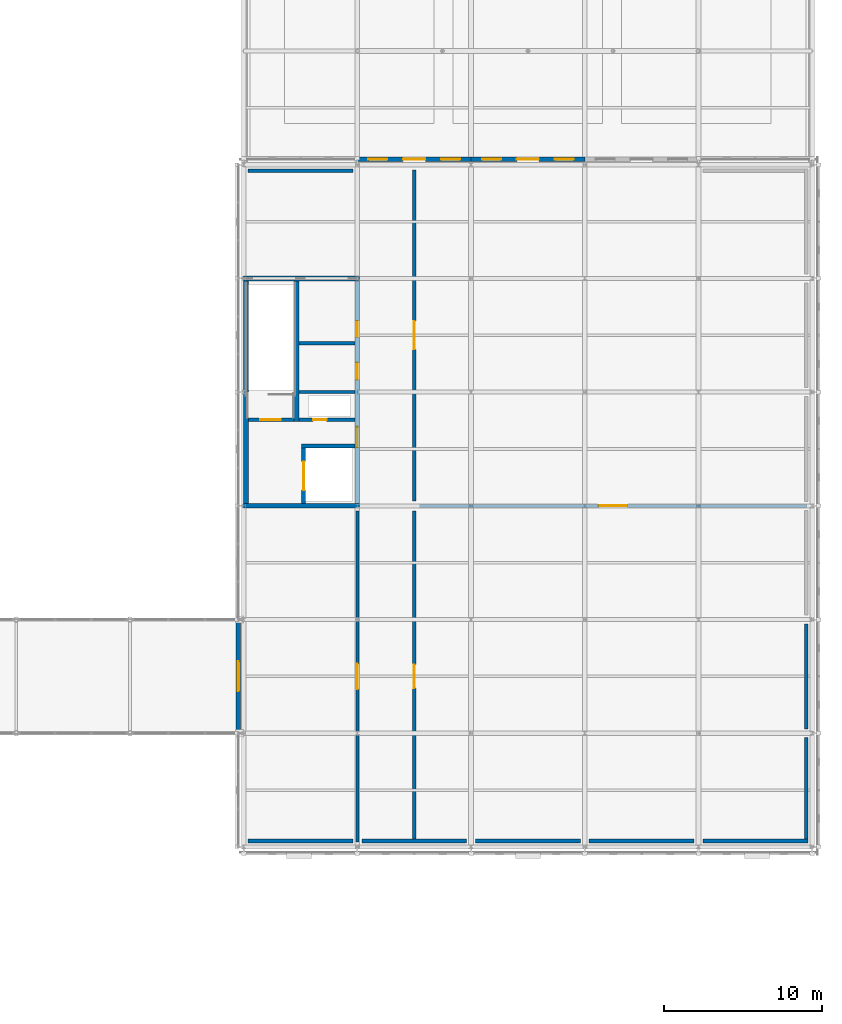
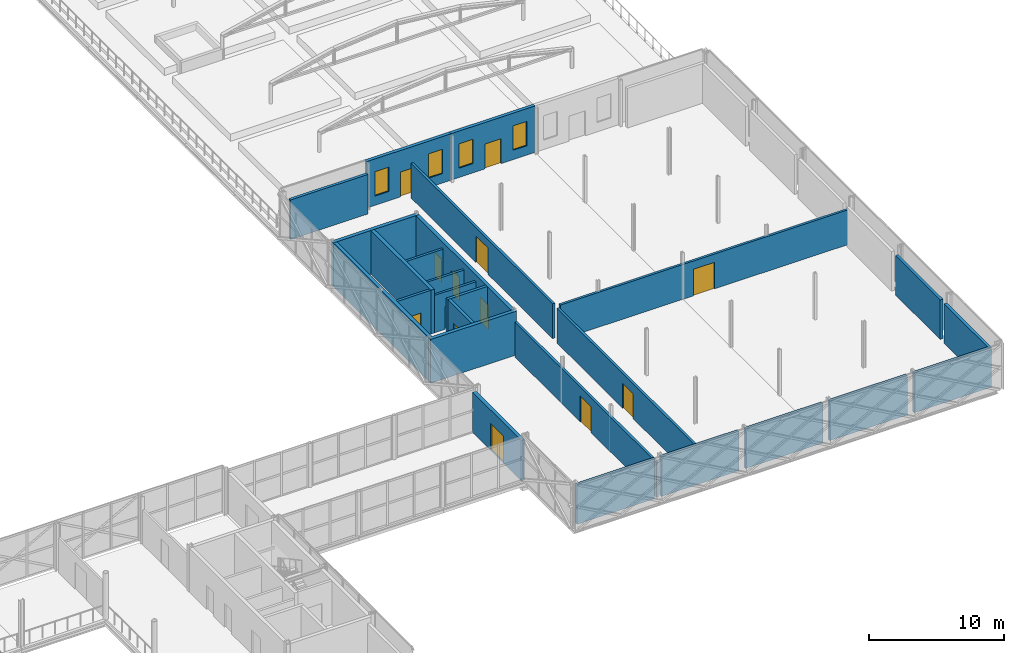
# One storey, part 108 of 126: 26 walls, 13 doors, 4 windows, 17 openings.
"""IFC4 building model written with IfcOpenShell, lengths in metres."""

from ifc_helpers import new_model, si_unit, direction, frame, frame_2d, origin, place, context, subcontext, project, spatial, rectangle, extrude, material, layer, layer_set, type_object, element, fill, save


model = new_model("IFC4")

# Units and contexts
model_context = context("Model", 3, precision=1e-05, world=origin(), true_north=direction((0.0, 1.0)))
body_context = subcontext(model_context, "Body", "Model", "MODEL_VIEW")
ifc_project = project(units=[si_unit("LENGTHUNIT", "METRE"), si_unit("AREAUNIT", "SQUARE_METRE"), si_unit("VOLUMEUNIT", "CUBIC_METRE"), si_unit("PLANEANGLEUNIT", "RADIAN"), si_unit("MASSUNIT", "GRAM", prefix="KILO")], contexts=[model_context])

# Site, building, storey
site_placement = place(None, origin())
site = spatial("IfcSite", under=ifc_project, at=site_placement, CompositionType="ELEMENT")
building_placement = place(site_placement, origin())
building = spatial("IfcBuilding", under=site, at=building_placement, Name="Zlatovets Crest Museum", CompositionType="ELEMENT")
storey_placement = place(building_placement, frame((0.0, 0.0, 8.699951171875)))
storey = spatial("IfcBuildingStorey", under=building, at=storey_placement, Name="L02", CompositionType="ELEMENT", Elevation=8.699951171875)

# Walls
ifc_material_1 = material(Name="Concrete C35/45", Category="concrete")
ifc_layer_1 = layer(ifc_material_1, 0.300048828125)
ifc_layer_set_1 = layer_set([ifc_layer_1], Name="Concrete C35/45")
wall_type_1 = type_object("IfcWallType", Name="CoreWall_SW01", PredefinedType="SHEAR", material=ifc_layer_set_1)
for number, where, z_axis, x_axis, name in (
    (1, (129.60009765625, 36.0, 0.0), (0.0, 0.0, 1.0), (1.0, 0.0, 0.0), "Core C5 L02 South Shear Wall"),
    (2, (129.60009765625, 50.39990234375, 0.0), (0.0, 0.0, 1.0), (1.0, 0.0, 0.0), "Core C5 L02 North Shear Wall"),
):
    element("IfcWall", number, at=place(storey_placement, frame(where, z_axis=z_axis, x_axis=x_axis)), inside=storey, type_object=wall_type_1, Name=name, PredefinedType="SHEAR", context=body_context, shape_type="SweptSolid", body=[
        extrude(rectangle(XDim=7.349853515625, YDim=0.300048828125, at=frame_2d((3.6748046875, 0.0))), origin(), (0.0, 0.0, 1.0), 3.9599609375),
    ])
wall_1_placement = place(storey_placement, frame((129.75, 36.14990234375, 0.0), z_axis=(0.0, 0.0, 1.0), x_axis=(0.0, 1.0, 0.0)))
element("IfcWall", 3, at=wall_1_placement, inside=storey, type_object=wall_type_1, Name="Core C5 L02 Perimeter Shear Wall", PredefinedType="SHEAR", context=body_context, shape_type="SweptSolid", body=[
    extrude(rectangle(XDim=14.10009765625, YDim=0.300048828125, at=frame_2d((7.050048828125, 0.0))), origin(), (0.0, 0.0, 1.0), 3.9599609375),
])

# Wall, openings, doors
wall_2_placement = place(storey_placement, frame((136.800048828125, 36.14990234375, 0.0), z_axis=(0.0, 0.0, 1.0), x_axis=(0.0, 1.0, 0.0)))
wall_2 = element("IfcWall", 4, at=wall_2_placement, inside=storey, type_object=wall_type_1, Name="Core C5 L02 Spine Shear Wall", PredefinedType="SHEAR", context=body_context, shape_type="SweptSolid", body=[
    extrude(rectangle(XDim=14.10009765625, YDim=0.300048828125, at=frame_2d((7.050048828125, 0.0))), origin(), (0.0, 0.0, 1.0), 3.9599609375),
])
opening_1_placement = place(wall_2_placement, frame((3.550048828125, 0.0, 0.0)))
opening_1 = element("IfcOpeningElement", 5, at=opening_1_placement, cuts=wall_2, Name="Opening FD-01", PredefinedType="OPENING", context=body_context, shape_type="SweptSolid", body=[
    extrude(rectangle(XDim=1.300048828125, YDim=2.199951171875, at=frame_2d((0.64990234375, 1.10009765625))), frame((0.0, 0.16015625, 0.0), z_axis=(0.0, -1.0, 0.0), x_axis=(1.0, 0.0, 0.0)), (0.0, 0.0, 1.0), 0.320068359375),
])
opening_2_placement = place(wall_2_placement, frame((7.85009765625, 0.0, 0.0)))
opening_2 = element("IfcOpeningElement", 6, at=opening_2_placement, cuts=wall_2, Name="Opening ID-02", PredefinedType="OPENING", context=body_context, shape_type="SweptSolid", body=[
    extrude(rectangle(XDim=1.050048828125, YDim=2.14990234375, at=frame_2d((0.52490234375, 1.074951171875))), frame((0.0, 0.16015625, 0.0), z_axis=(0.0, -1.0, 0.0), x_axis=(1.0, 0.0, 0.0)), (0.0, 0.0, 1.0), 0.320068359375),
])
opening_3_placement = place(wall_2_placement, frame((10.550048828125, 0.0, 0.0)))
opening_3 = element("IfcOpeningElement", 7, at=opening_3_placement, cuts=wall_2, Name="Opening ID-01", PredefinedType="OPENING", context=body_context, shape_type="SweptSolid", body=[
    extrude(rectangle(XDim=1.0, YDim=2.14990234375, at=frame_2d((0.5, 1.074951171875))), frame((0.0, 0.16015625, 0.0), z_axis=(0.0, -1.0, 0.0), x_axis=(1.0, 0.0, 0.0)), (0.0, 0.0, 1.0), 0.320068359375),
])
ifc_material_2 = material(Name="Smoke-sealed steel fire door", Category="steel")
door_type_1 = type_object("IfcDoorType", Name="IntDoor_FD-01", OperationType="NOTDEFINED", PredefinedType="DOOR", material=ifc_material_2)
door_1_placement = place(opening_1_placement, origin())
door_1 = element("IfcDoor", 8, at=door_1_placement, inside=storey, type_object=door_type_1, Name="CDOOR-C5-L02-LOB Core C5 L02 Lobby Fire Door", OperationType="SINGLE_SWING_RIGHT", OverallHeight=2.199951171875, OverallWidth=1.300048828125, PredefinedType="DOOR", context=body_context, shape_type="SweptSolid", body=[
    extrude(rectangle(XDim=1.300048828125, YDim=2.199951171875, at=frame_2d((0.64990234375, 1.10009765625))), frame((0.0, 0.02490234375, 0.0), z_axis=(0.0, -1.0, 0.0), x_axis=(1.0, 0.0, 0.0)), (0.0, 0.0, 1.0), 0.050048828125),
])
fill(opening_1, door_1)
ifc_material_3 = material(Name="Solid oak museum room door")
door_type_2 = type_object("IfcDoorType", Name="IntDoor_ID-01", OperationType="NOTDEFINED", PredefinedType="DOOR", material=ifc_material_3)
door_2_placement = place(opening_3_placement, origin())
door_2 = element("IfcDoor", 9, at=door_2_placement, inside=storey, type_object=door_type_2, Name="CDOOR-C5-L02-WC Core C5 L02 Public Restroom Door", OperationType="SINGLE_SWING_RIGHT", OverallHeight=2.14990234375, OverallWidth=1.0, PredefinedType="DOOR", context=body_context, shape_type="SweptSolid", body=[
    extrude(rectangle(XDim=1.0, YDim=2.14990234375, at=frame_2d((0.5, 1.074951171875))), frame((0.0, 0.02490234375, 0.0), z_axis=(0.0, -1.0, 0.0), x_axis=(1.0, 0.0, 0.0)), (0.0, 0.0, 1.0), 0.050048828125),
])
fill(opening_3, door_2)
ifc_material_4 = material(Name="Accessible sanitary room door")
door_type_3 = type_object("IfcDoorType", Name="IntDoor_ID-02", OperationType="NOTDEFINED", PredefinedType="DOOR", material=ifc_material_4)
door_3_placement = place(opening_2_placement, origin())
door_3 = element("IfcDoor", 10, at=door_3_placement, inside=storey, type_object=door_type_3, Name="CDOOR-C5-L02-AWC Core C5 L02 Accessible WC Door", OperationType="SINGLE_SWING_LEFT", OverallHeight=2.14990234375, OverallWidth=1.050048828125, PredefinedType="DOOR", context=body_context, shape_type="SweptSolid", body=[
    extrude(rectangle(XDim=1.050048828125, YDim=2.14990234375, at=frame_2d((0.52490234375, 1.074951171875))), frame((0.0, 0.02490234375, 0.0), z_axis=(0.0, -1.0, 0.0), x_axis=(1.0, 0.0, 0.0)), (0.0, 0.0, 1.0), 0.050048828125),
])
fill(opening_2, door_3)

# Wall
wall_3_placement = place(storey_placement, frame((132.949951171875, 41.340087890625, 0.0), z_axis=(0.0, 0.0, 1.0), x_axis=(0.0, 1.0, 0.0)))
element("IfcWall", 11, at=wall_3_placement, inside=storey, type_object=wall_type_1, Name="Core C5 L02 Stair Divider Wall", PredefinedType="SHEAR", context=body_context, shape_type="SweptSolid", body=[
    extrude(rectangle(XDim=8.909912109375, YDim=0.300048828125, at=frame_2d((4.455078125, 0.0))), origin(), (0.0, 0.0, 1.0), 3.9599609375),
])

# Wall, opening, door
ifc_layer_2 = layer(ifc_material_1, 0.25)
ifc_layer_set_2 = layer_set([ifc_layer_2], Name="Concrete C35/45")
wall_type_2 = type_object("IfcWallType", Name="CoreWall_SW02", PredefinedType="SHEAR", material=ifc_layer_set_2)
wall_4_placement = place(storey_placement, frame((133.39990234375, 36.14990234375, 0.0), z_axis=(0.0, 0.0, 1.0), x_axis=(0.0, 1.0, 0.0)))
wall_4 = element("IfcWall", 12, at=wall_4_placement, inside=storey, type_object=wall_type_2, Name="Core C5 L02 Lift Shaft Wall", PredefinedType="SHEAR", context=body_context, shape_type="SweptSolid", body=[
    extrude(rectangle(XDim=3.525146484375, YDim=0.25, at=frame_2d((1.7626953125, 0.0))), origin(), (0.0, 0.0, 1.0), 3.9599609375),
])
opening_4_placement = place(wall_4_placement, frame((0.85009765625, 0.0, 0.0)))
opening_4 = element("IfcOpeningElement", 13, at=opening_4_placement, cuts=wall_4, Name="Opening LD-02", PredefinedType="OPENING", context=body_context, shape_type="SweptSolid", body=[
    extrude(rectangle(XDim=1.800048828125, YDim=2.35009765625, at=frame_2d((0.89990234375, 1.175048828125))), frame((0.0, 0.135009765625, 0.0), z_axis=(0.0, -1.0, 0.0), x_axis=(1.0, 0.0, 0.0)), (0.0, 0.0, 1.0), 0.27001953125),
])
ifc_material_5 = material(Name="Heavy sliding goods-lift landing door")
door_type_4 = type_object("IfcDoorType", Name="IntDoor_LD-02", OperationType="SLIDING_TO_LEFT", PredefinedType="DOOR", material=ifc_material_5)
door_4_placement = place(opening_4_placement, origin())
door_4 = element("IfcDoor", 14, at=door_4_placement, inside=storey, type_object=door_type_4, Name="LDOOR-GL1-L02 Lift GL1 L02 Sliding Landing Door", OperationType="SLIDING_TO_LEFT", OverallHeight=2.35009765625, OverallWidth=1.800048828125, PredefinedType="DOOR", context=body_context, shape_type="SweptSolid", body=[
    extrude(rectangle(XDim=1.800048828125, YDim=2.35009765625, at=frame_2d((0.89990234375, 1.175048828125))), frame((0.0, 0.02490234375, 0.0), z_axis=(0.0, -1.0, 0.0), x_axis=(1.0, 0.0, 0.0)), (0.0, 0.0, 1.0), 0.050048828125),
])
fill(opening_4, door_4)

wall_5_placement = place(storey_placement, frame((129.89990234375, 41.449951171875, 0.0), z_axis=(0.0, 0.0, 1.0), x_axis=(1.0, 0.0, 0.0)))
wall_5 = element("IfcWall", 15, at=wall_5_placement, inside=storey, type_object=wall_type_2, Name="Core C5 L02 Stairwell Fire Wall", PredefinedType="SHEAR", context=body_context, shape_type="SweptSolid", body=[
    extrude(rectangle(XDim=2.900146484375, YDim=0.219970703125, at=frame_2d((1.4501953125, 0.0))), origin(), (0.0, 0.0, 1.0), 3.9599609375),
])
opening_5_placement = place(wall_5_placement, frame((0.75, 0.0, 0.0)))
opening_5 = element("IfcOpeningElement", 16, at=opening_5_placement, cuts=wall_5, Name="Opening FD-01", PredefinedType="OPENING", context=body_context, shape_type="SweptSolid", body=[
    extrude(rectangle(XDim=1.300048828125, YDim=2.199951171875, at=frame_2d((0.64990234375, 1.10009765625))), frame((0.0, 0.1201171875, 0.0), z_axis=(0.0, -1.0, 0.0), x_axis=(1.0, 0.0, 0.0)), (0.0, 0.0, 1.0), 0.239990234375),
])
door_5_placement = place(opening_5_placement, origin())
door_5 = element("IfcDoor", 17, at=door_5_placement, inside=storey, type_object=door_type_1, Name="SDOOR-ST5-L02 Stair ST5 L02 Fire Door", OperationType="SINGLE_SWING_LEFT", OverallHeight=2.199951171875, OverallWidth=1.300048828125, PredefinedType="DOOR", context=body_context, shape_type="SweptSolid", body=[
    extrude(rectangle(XDim=1.300048828125, YDim=2.199951171875, at=frame_2d((0.64990234375, 1.10009765625))), frame((0.0, 0.02490234375, 0.0), z_axis=(0.0, -1.0, 0.0), x_axis=(1.0, 0.0, 0.0)), (0.0, 0.0, 1.0), 0.050048828125),
])
fill(opening_5, door_5)

# Walls
wall_6_placement = place(storey_placement, frame((133.27490234375, 39.800048828125, 0.0), z_axis=(0.0, 0.0, 1.0), x_axis=(1.0, 0.0, 0.0)))
element("IfcWall", 18, at=wall_6_placement, inside=storey, type_object=wall_type_2, Name="Core C5 L02 Lift Shaft North Shear Wall", PredefinedType="SHEAR", context=body_context, shape_type="SweptSolid", body=[
    extrude(rectangle(XDim=3.375, YDim=0.25, at=frame_2d((1.6875, 0.0))), origin(), (0.0, 0.0, 1.0), 3.9599609375),
])
ifc_material_6 = material(Name="Insulated gallery conservation liner wall", Category="concrete")
ifc_layer_3 = layer(ifc_material_6, 0.300048828125)
ifc_layer_set_3 = layer_set([ifc_layer_3], Name="Insulated gallery conservation liner wall")
wall_type_3 = type_object("IfcWallType", Name="ExtWall_EW-02", PredefinedType="STANDARD", material=ifc_layer_set_3)
wall_7_placement = place(storey_placement, frame((129.8798828125, 14.780029296875, 0.0), z_axis=(0.0, 0.0, 1.0), x_axis=(1.0, 0.0, 0.0)))
element("IfcWall", 19, at=wall_7_placement, inside=storey, type_object=wall_type_3, Name="V5 L02 Interior Conservation Gallery Liner Wall", PredefinedType="STANDARD", context=body_context, shape_type="SweptSolid", body=[
    extrude(rectangle(XDim=6.64013671875, YDim=0.239990234375, at=frame_2d((3.320068359375, 0.0))), origin(), (0.0, 0.0, 1.0), 3.580078125),
])
for number, where, z_axis, x_axis, name in (
    (20, (137.080078125, 14.780029296875, 0.0), (0.0, 0.0, 1.0), (1.0, 0.0, 0.0), "V5 L02 Interior Conservation Gallery Liner Wall"),
    (21, (144.280029296875, 14.780029296875, 0.0), (0.0, 0.0, 1.0), (1.0, 0.0, 0.0), "V5 L02 Interior Conservation Gallery Liner Wall"),
):
    element("IfcWall", number, at=place(storey_placement, frame(where, z_axis=z_axis, x_axis=x_axis)), inside=storey, type_object=wall_type_3, Name=name, PredefinedType="STANDARD", context=body_context, shape_type="SweptSolid", body=[
        extrude(rectangle(XDim=6.639892578125, YDim=0.239990234375, at=frame_2d((3.31982421875, 0.0))), origin(), (0.0, 0.0, 1.0), 3.580078125),
    ])
for number, where, z_axis, x_axis, name in (
    (22, (151.47998046875, 14.780029296875, 0.0), (0.0, 0.0, 1.0), (1.0, 0.0, 0.0), "V5 L02 Interior Conservation Gallery Liner Wall"),
    (23, (158.679931640625, 14.780029296875, 0.0), (0.0, 0.0, 1.0), (1.0, 0.0, 0.0), "V5 L02 Interior Conservation Gallery Liner Wall"),
    (24, (165.219970703125, 14.679931640625, 0.0), (0.0, 0.0, 1.0), (0.0, 1.0, 0.0), "V5 L02 Interior Conservation Gallery Liner Wall"),
    (25, (165.219970703125, 21.8798828125, 0.0), (0.0, 0.0, 1.0), (0.0, 1.0, 0.0), "V5 L02 Interior Conservation Gallery Liner Wall"),
    (26, (136.52001953125, 57.219970703125, 0.0), (0.0, 0.0, 1.0), (-1.0, 0.0, 0.0), "V5 L02 Interior Conservation Gallery Liner Wall"),
):
    element("IfcWall", number, at=place(storey_placement, frame(where, z_axis=z_axis, x_axis=x_axis)), inside=storey, type_object=wall_type_3, Name=name, PredefinedType="STANDARD", context=body_context, shape_type="SweptSolid", body=[
        extrude(rectangle(XDim=6.64013671875, YDim=0.239990234375, at=frame_2d((3.320068359375, 0.0))), origin(), (0.0, 0.0, 1.0), 3.580078125),
    ])

# Wall, opening, door
wall_8_placement = place(storey_placement, frame((129.260009765625, 28.800048828125, 0.0), z_axis=(0.0, 0.0, 1.0), x_axis=(0.0, -1.0, 0.0)))
wall_8 = element("IfcWall", 27, at=wall_8_placement, inside=storey, type_object=wall_type_3, Name="V5 L02 Bridge Portal Wall", PredefinedType="STANDARD", context=body_context, shape_type="SweptSolid", body=[
    extrude(rectangle(XDim=7.199951171875, YDim=0.300048828125, at=frame_2d((3.60009765625, 0.0))), origin(), (0.0, 0.0, 1.0), 3.650146484375),
])
opening_6_placement = place(wall_8_placement, frame((2.64990234375, 0.0, 0.0)))
opening_6 = element("IfcOpeningElement", 28, at=opening_6_placement, cuts=wall_8, Name="Opening ED-02", PredefinedType="OPENING", context=body_context, shape_type="SweptSolid", body=[
    extrude(rectangle(XDim=1.89990234375, YDim=2.449951171875, at=frame_2d((0.949951171875, 1.22509765625))), frame((0.0, 0.16015625, 0.0), z_axis=(0.0, -1.0, 0.0), x_axis=(1.0, 0.0, 0.0)), (0.0, 0.0, 1.0), 0.320068359375),
])
ifc_material_7 = material(Name="Bronze-clad insulated steel door", Category="steel")
door_type_5 = type_object("IfcDoorType", Name="ExtDoor_ED-02", OperationType="NOTDEFINED", PredefinedType="DOOR", material=ifc_material_7)
door_6_placement = place(opening_6_placement, origin())
door_6 = element("IfcDoor", 29, at=door_6_placement, inside=storey, type_object=door_type_5, Name="ED-V5-L02-BR051 V5 L02 Bridge Link Portal Door", OperationType="DOUBLE_DOOR_SINGLE_SWING", OverallHeight=2.449951171875, OverallWidth=1.89990234375, PredefinedType="DOOR", context=body_context, shape_type="SweptSolid", body=[
    extrude(rectangle(XDim=1.89990234375, YDim=2.449951171875, at=frame_2d((0.949951171875, 1.22509765625))), frame((0.0, 0.02490234375, 0.0), z_axis=(0.0, -1.0, 0.0), x_axis=(1.0, 0.0, 0.0)), (0.0, 0.0, 1.0), 0.050048828125),
])
fill(opening_6, door_6)

# Wall, openings, door, windows
ifc_material_8 = material(Name="Polychrome majolica ceramic spandrel wall", Category="masonry")
ifc_layer_4 = layer(ifc_material_8, 0.280029296875)
ifc_layer_set_4 = layer_set([ifc_layer_4], Name="Polychrome majolica ceramic spandrel wall")
wall_type_4 = type_object("IfcWallType", Name="ExtWall_EW-03", PredefinedType="STANDARD", material=ifc_layer_set_4)
wall_9_placement = place(storey_placement, frame((151.199951171875, 57.93994140625, 0.0), z_axis=(0.0, 0.0, 1.0), x_axis=(-1.0, 0.0, 0.0)))
wall_9 = element("IfcWall", 30, at=wall_9_placement, inside=storey, type_object=wall_type_4, Name="V5 L02 Terrace Access Wall", PredefinedType="STANDARD", context=body_context, shape_type="SweptSolid", body=[
    extrude(rectangle(XDim=7.199951171875, YDim=0.280029296875, at=frame_2d((3.60009765625, 0.0))), origin(), (0.0, 0.0, 1.0), 4.199951171875),
])
opening_7_placement = place(wall_9_placement, frame((2.89990234375, 0.0, 0.0)))
opening_7 = element("IfcOpeningElement", 31, at=opening_7_placement, cuts=wall_9, Name="Opening TD-01", PredefinedType="OPENING", context=body_context, shape_type="SweptSolid", body=[
    extrude(rectangle(XDim=1.39990234375, YDim=2.25, at=frame_2d((0.699951171875, 1.125))), frame((0.0, 0.14990234375, 0.0), z_axis=(0.0, -1.0, 0.0), x_axis=(1.0, 0.0, 0.0)), (0.0, 0.0, 1.0), 0.300048828125),
])
opening_8_placement = place(wall_9_placement, frame((0.699951171875, 0.0, 0.85009765625)))
opening_8 = element("IfcOpeningElement", 32, at=opening_8_placement, cuts=wall_9, Name="Opening WN-01", PredefinedType="OPENING", context=body_context, shape_type="SweptSolid", body=[
    extrude(rectangle(XDim=1.199951171875, YDim=2.199951171875, at=frame_2d((0.60009765625, 1.10009765625))), frame((0.0, 0.14990234375, 0.0), z_axis=(0.0, -1.0, 0.0), x_axis=(1.0, 0.0, 0.0)), (0.0, 0.0, 1.0), 0.300048828125),
])
opening_9_placement = place(wall_9_placement, frame((5.300048828125, 0.0, 0.85009765625)))
opening_9 = element("IfcOpeningElement", 33, at=opening_9_placement, cuts=wall_9, Name="Opening WN-01", PredefinedType="OPENING", context=body_context, shape_type="SweptSolid", body=[
    extrude(rectangle(XDim=1.199951171875, YDim=2.199951171875, at=frame_2d((0.60009765625, 1.10009765625))), frame((0.0, 0.14990234375, 0.0), z_axis=(0.0, -1.0, 0.0), x_axis=(1.0, 0.0, 0.0)), (0.0, 0.0, 1.0), 0.300048828125),
])
door_type_6 = type_object("IfcDoorType", Name="ExtDoor_TD-01", OperationType="NOTDEFINED", PredefinedType="DOOR", material=ifc_material_7)
door_7_placement = place(opening_7_placement, origin())
door_7 = element("IfcDoor", 34, at=door_7_placement, inside=storey, type_object=door_type_6, Name="TD-V5-L02-049 V5 L02 Roof Terrace Door", OperationType="SINGLE_SWING_RIGHT", OverallHeight=2.25, OverallWidth=1.39990234375, PredefinedType="DOOR", context=body_context, shape_type="SweptSolid", body=[
    extrude(rectangle(XDim=1.39990234375, YDim=2.25, at=frame_2d((0.699951171875, 1.125))), frame((0.0, 0.02490234375, 0.0), z_axis=(0.0, -1.0, 0.0), x_axis=(1.0, 0.0, 0.0)), (0.0, 0.0, 1.0), 0.050048828125),
])
fill(opening_7, door_7)
ifc_material_9 = material(Name="Bronze-anodised aluminium frame with low-E triple glass", Category="aluminium")
window_type = type_object("IfcWindowType", Name="Win_WN-01", PartitioningType="SINGLE_PANEL", PredefinedType="WINDOW", material=ifc_material_9)
window_1_placement = place(opening_8_placement, origin())
window_1 = element("IfcWindow", 35, at=window_1_placement, inside=storey, type_object=window_type, Name="V5 L02 Terrace Glazed Sidelight", OverallHeight=2.199951171875, OverallWidth=1.199951171875, PartitioningType="SINGLE_PANEL", PredefinedType="WINDOW", context=body_context, shape_type="SweptSolid", body=[
    extrude(rectangle(XDim=1.199951171875, YDim=2.199951171875, at=frame_2d((0.60009765625, 1.10009765625))), frame((0.0, 0.030029296875, 0.0), z_axis=(0.0, -1.0, 0.0), x_axis=(1.0, 0.0, 0.0)), (0.0, 0.0, 1.0), 0.06005859375),
])
fill(opening_8, window_1)
window_2_placement = place(opening_9_placement, origin())
window_2 = element("IfcWindow", 36, at=window_2_placement, inside=storey, type_object=window_type, Name="V5 L02 Terrace Glazed Sidelight", OverallHeight=2.199951171875, OverallWidth=1.199951171875, PartitioningType="SINGLE_PANEL", PredefinedType="WINDOW", context=body_context, shape_type="SweptSolid", body=[
    extrude(rectangle(XDim=1.199951171875, YDim=2.199951171875, at=frame_2d((0.60009765625, 1.10009765625))), frame((0.0, 0.030029296875, 0.0), z_axis=(0.0, -1.0, 0.0), x_axis=(1.0, 0.0, 0.0)), (0.0, 0.0, 1.0), 0.06005859375),
])
fill(opening_9, window_2)

wall_10_placement = place(storey_placement, frame((144.0, 57.93994140625, 0.0), z_axis=(0.0, 0.0, 1.0), x_axis=(-1.0, 0.0, 0.0)))
wall_10 = element("IfcWall", 37, at=wall_10_placement, inside=storey, type_object=wall_type_4, Name="V5 L02 Terrace Access Wall", PredefinedType="STANDARD", context=body_context, shape_type="SweptSolid", body=[
    extrude(rectangle(XDim=7.199951171875, YDim=0.280029296875, at=frame_2d((3.60009765625, 0.0))), origin(), (0.0, 0.0, 1.0), 4.199951171875),
])
opening_10_placement = place(wall_10_placement, frame((2.89990234375, 0.0, 0.0)))
opening_10 = element("IfcOpeningElement", 38, at=opening_10_placement, cuts=wall_10, Name="Opening TD-01", PredefinedType="OPENING", context=body_context, shape_type="SweptSolid", body=[
    extrude(rectangle(XDim=1.39990234375, YDim=2.25, at=frame_2d((0.699951171875, 1.125))), frame((0.0, 0.14990234375, 0.0), z_axis=(0.0, -1.0, 0.0), x_axis=(1.0, 0.0, 0.0)), (0.0, 0.0, 1.0), 0.300048828125),
])
opening_11_placement = place(wall_10_placement, frame((0.699951171875, 0.0, 0.85009765625)))
opening_11 = element("IfcOpeningElement", 39, at=opening_11_placement, cuts=wall_10, Name="Opening WN-01", PredefinedType="OPENING", context=body_context, shape_type="SweptSolid", body=[
    extrude(rectangle(XDim=1.199951171875, YDim=2.199951171875, at=frame_2d((0.60009765625, 1.10009765625))), frame((0.0, 0.14990234375, 0.0), z_axis=(0.0, -1.0, 0.0), x_axis=(1.0, 0.0, 0.0)), (0.0, 0.0, 1.0), 0.300048828125),
])
opening_12_placement = place(wall_10_placement, frame((5.300048828125, 0.0, 0.85009765625)))
opening_12 = element("IfcOpeningElement", 40, at=opening_12_placement, cuts=wall_10, Name="Opening WN-01", PredefinedType="OPENING", context=body_context, shape_type="SweptSolid", body=[
    extrude(rectangle(XDim=1.199951171875, YDim=2.199951171875, at=frame_2d((0.60009765625, 1.10009765625))), frame((0.0, 0.14990234375, 0.0), z_axis=(0.0, -1.0, 0.0), x_axis=(1.0, 0.0, 0.0)), (0.0, 0.0, 1.0), 0.300048828125),
])
door_8_placement = place(opening_10_placement, origin())
door_8 = element("IfcDoor", 41, at=door_8_placement, inside=storey, type_object=door_type_6, Name="TD-V5-L02-050 V5 L02 Roof Terrace Door", OperationType="SINGLE_SWING_LEFT", OverallHeight=2.25, OverallWidth=1.39990234375, PredefinedType="DOOR", context=body_context, shape_type="SweptSolid", body=[
    extrude(rectangle(XDim=1.39990234375, YDim=2.25, at=frame_2d((0.699951171875, 1.125))), frame((0.0, 0.02490234375, 0.0), z_axis=(0.0, -1.0, 0.0), x_axis=(1.0, 0.0, 0.0)), (0.0, 0.0, 1.0), 0.050048828125),
])
fill(opening_10, door_8)
window_3_placement = place(opening_11_placement, origin())
window_3 = element("IfcWindow", 42, at=window_3_placement, inside=storey, type_object=window_type, Name="V5 L02 Terrace Glazed Sidelight", OverallHeight=2.199951171875, OverallWidth=1.199951171875, PartitioningType="SINGLE_PANEL", PredefinedType="WINDOW", context=body_context, shape_type="SweptSolid", body=[
    extrude(rectangle(XDim=1.199951171875, YDim=2.199951171875, at=frame_2d((0.60009765625, 1.10009765625))), frame((0.0, 0.030029296875, 0.0), z_axis=(0.0, -1.0, 0.0), x_axis=(1.0, 0.0, 0.0)), (0.0, 0.0, 1.0), 0.06005859375),
])
fill(opening_11, window_3)
window_4_placement = place(opening_12_placement, origin())
window_4 = element("IfcWindow", 43, at=window_4_placement, inside=storey, type_object=window_type, Name="V5 L02 Terrace Glazed Sidelight", OverallHeight=2.199951171875, OverallWidth=1.199951171875, PartitioningType="SINGLE_PANEL", PredefinedType="WINDOW", context=body_context, shape_type="SweptSolid", body=[
    extrude(rectangle(XDim=1.199951171875, YDim=2.199951171875, at=frame_2d((0.60009765625, 1.10009765625))), frame((0.0, 0.030029296875, 0.0), z_axis=(0.0, -1.0, 0.0), x_axis=(1.0, 0.0, 0.0)), (0.0, 0.0, 1.0), 0.06005859375),
])
fill(opening_12, window_4)

# Wall, opening, door
ifc_material_10 = material(Name="Gypsum-encased fire compartment partition")
ifc_layer_5 = layer(ifc_material_10, 0.199951171875)
ifc_layer_set_5 = layer_set([ifc_layer_5], Name="Gypsum-encased fire compartment partition")
wall_type_5 = type_object("IfcWallType", Name="PartWall_PT-01", PredefinedType="PARTITIONING", material=ifc_layer_set_5)
wall_11_placement = place(storey_placement, frame((140.39990234375, 14.719970703125, 0.0), z_axis=(0.0, 0.0, 1.0), x_axis=(0.0, 1.0, 0.0)))
wall_11 = element("IfcWall", 44, at=wall_11_placement, inside=storey, type_object=wall_type_5, Name="V5 L02 Interior Partition PT-01", PredefinedType="PARTITIONING", context=body_context, shape_type="SweptSolid", body=[
    extrude(rectangle(XDim=20.9599609375, YDim=0.199951171875, at=frame_2d((10.47998046875, 0.0))), origin(), (0.0, 0.0, 1.0), 3.150146484375),
])
opening_13_placement = place(wall_11_placement, frame((9.72998046875, 0.0, 0.0)))
opening_13 = element("IfcOpeningElement", 45, at=opening_13_placement, cuts=wall_11, Name="Opening FD-02", PredefinedType="OPENING", context=body_context, shape_type="SweptSolid", body=[
    extrude(rectangle(XDim=1.5, YDim=2.25, at=frame_2d((0.75, 1.125))), frame((0.0, 0.10986328125, 0.0), z_axis=(0.0, -1.0, 0.0), x_axis=(1.0, 0.0, 0.0)), (0.0, 0.0, 1.0), 0.219970703125),
])
ifc_material_11 = material(Name="Double corridor compartment fire door")
door_type_7 = type_object("IfcDoorType", Name="IntDoor_FD-02", OperationType="DOUBLE_DOOR_SINGLE_SWING", PredefinedType="DOOR", material=ifc_material_11)
door_9_placement = place(opening_13_placement, origin())
door_9 = element("IfcDoor", 46, at=door_9_placement, inside=storey, type_object=door_type_7, Name="IDOOR-V5-L02-0177 Curatorial Second Floor Corridor to Metalwork and Gilding Conservation Laboratory Door", OperationType="DOUBLE_DOOR_SINGLE_SWING", OverallHeight=2.25, OverallWidth=1.5, PredefinedType="DOOR", context=body_context, shape_type="SweptSolid", body=[
    extrude(rectangle(XDim=1.5, YDim=2.25, at=frame_2d((0.75, 1.125))), frame((0.0, 0.02490234375, 0.0), z_axis=(0.0, -1.0, 0.0), x_axis=(1.0, 0.0, 0.0)), (0.0, 0.0, 1.0), 0.050048828125),
])
fill(opening_13, door_9)

wall_12_placement = place(storey_placement, frame((140.39990234375, 36.320068359375, 0.0), z_axis=(0.0, 0.0, 1.0), x_axis=(0.0, 1.0, 0.0)))
wall_12 = element("IfcWall", 47, at=wall_12_placement, inside=storey, type_object=wall_type_5, Name="V5 L02 Interior Partition PT-01", PredefinedType="PARTITIONING", context=body_context, shape_type="SweptSolid", body=[
    extrude(rectangle(XDim=20.9599609375, YDim=0.199951171875, at=frame_2d((10.47998046875, 0.0))), origin(), (0.0, 0.0, 1.0), 3.150146484375),
])
opening_14_placement = place(wall_12_placement, frame((9.580078125, 0.0, 0.0)))
opening_14 = element("IfcOpeningElement", 48, at=opening_14_placement, cuts=wall_12, Name="Opening FD-04", PredefinedType="OPENING", context=body_context, shape_type="SweptSolid", body=[
    extrude(rectangle(XDim=1.800048828125, YDim=2.39990234375, at=frame_2d((0.89990234375, 1.199951171875))), frame((0.0, 0.10986328125, 0.0), z_axis=(0.0, -1.0, 0.0), x_axis=(1.0, 0.0, 0.0)), (0.0, 0.0, 1.0), 0.219970703125),
])
ifc_material_12 = material(Name="Archive vault heavy fire door")
door_type_8 = type_object("IfcDoorType", Name="IntDoor_FD-04", OperationType="DOUBLE_DOOR_SINGLE_SWING", PredefinedType="DOOR", material=ifc_material_12)
door_10_placement = place(opening_14_placement, origin())
door_10 = element("IfcDoor", 49, at=door_10_placement, inside=storey, type_object=door_type_8, Name="IDOOR-V5-L02-0178 Curatorial Second Floor Corridor to Rare Map and Herbarium Study Archive Door", OperationType="DOUBLE_DOOR_SINGLE_SWING", OverallHeight=2.39990234375, OverallWidth=1.800048828125, PredefinedType="DOOR", context=body_context, shape_type="SweptSolid", body=[
    extrude(rectangle(XDim=1.800048828125, YDim=2.39990234375, at=frame_2d((0.89990234375, 1.199951171875))), frame((0.0, 0.02490234375, 0.0), z_axis=(0.0, -1.0, 0.0), x_axis=(1.0, 0.0, 0.0)), (0.0, 0.0, 1.0), 0.050048828125),
])
fill(opening_14, door_10)

wall_13_placement = place(storey_placement, frame((136.800048828125, 14.719970703125, 0.0), z_axis=(0.0, 0.0, 1.0), x_axis=(0.0, 1.0, 0.0)))
wall_13 = element("IfcWall", 50, at=wall_13_placement, inside=storey, type_object=wall_type_5, Name="V5 L02 Interior Partition PT-01", PredefinedType="PARTITIONING", context=body_context, shape_type="SweptSolid", body=[
    extrude(rectangle(XDim=20.9599609375, YDim=0.199951171875, at=frame_2d((10.47998046875, 0.0))), origin(), (0.0, 0.0, 1.0), 3.150146484375),
])
opening_15_placement = place(wall_13_placement, frame((9.679931640625, 0.0, 0.0)))
opening_15 = element("IfcOpeningElement", 51, at=opening_15_placement, cuts=wall_13, Name="Opening ID-04", PredefinedType="OPENING", context=body_context, shape_type="SweptSolid", body=[
    extrude(rectangle(XDim=1.60009765625, YDim=2.35009765625, at=frame_2d((0.800048828125, 1.175048828125))), frame((0.0, 0.10986328125, 0.0), z_axis=(0.0, -1.0, 0.0), x_axis=(1.0, 0.0, 0.0)), (0.0, 0.0, 1.0), 0.219970703125),
])
ifc_material_13 = material(Name="Gallery salon double portal door")
door_type_9 = type_object("IfcDoorType", Name="IntDoor_ID-04", OperationType="DOUBLE_DOOR_SINGLE_SWING", PredefinedType="DOOR", material=ifc_material_13)
door_11_placement = place(opening_15_placement, origin())
door_11 = element("IfcDoor", 52, at=door_11_placement, inside=storey, type_object=door_type_9, Name="IDOOR-V5-L02-0179 Curatorial Second Floor Corridor to Curatorial Bridge Foyer L02 Door", OperationType="DOUBLE_DOOR_SINGLE_SWING", OverallHeight=2.35009765625, OverallWidth=1.60009765625, PredefinedType="DOOR", context=body_context, shape_type="SweptSolid", body=[
    extrude(rectangle(XDim=1.60009765625, YDim=2.35009765625, at=frame_2d((0.800048828125, 1.175048828125))), frame((0.0, 0.02490234375, 0.0), z_axis=(0.0, -1.0, 0.0), x_axis=(1.0, 0.0, 0.0)), (0.0, 0.0, 1.0), 0.050048828125),
])
fill(opening_15, door_11)

wall_14_placement = place(storey_placement, frame((140.719970703125, 36.0, 0.0), z_axis=(0.0, 0.0, 1.0), x_axis=(1.0, 0.0, 0.0)))
wall_14 = element("IfcWall", 53, at=wall_14_placement, inside=storey, type_object=wall_type_5, Name="V5 L02 Interior Partition PT-01", PredefinedType="PARTITIONING", context=body_context, shape_type="SweptSolid", body=[
    extrude(rectangle(XDim=24.56005859375, YDim=0.199951171875, at=frame_2d((12.280029296875, 0.0))), origin(), (0.0, 0.0, 1.0), 3.150146484375),
])
opening_16_placement = place(wall_14_placement, frame((11.3798828125, 0.0, 0.0)))
opening_16 = element("IfcOpeningElement", 54, at=opening_16_placement, cuts=wall_14, Name="Opening FD-04", PredefinedType="OPENING", context=body_context, shape_type="SweptSolid", body=[
    extrude(rectangle(XDim=1.800048828125, YDim=2.39990234375, at=frame_2d((0.89990234375, 1.199951171875))), frame((0.0, 0.10986328125, 0.0), z_axis=(0.0, -1.0, 0.0), x_axis=(1.0, 0.0, 0.0)), (0.0, 0.0, 1.0), 0.219970703125),
])
door_12_placement = place(opening_16_placement, origin())
door_12 = element("IfcDoor", 55, at=door_12_placement, inside=storey, type_object=door_type_8, Name="IDOOR-V5-L02-0180 Metalwork and Gilding Conservation Laboratory to Rare Map and Herbarium Study Archive Door", OperationType="DOUBLE_DOOR_SINGLE_SWING", OverallHeight=2.39990234375, OverallWidth=1.800048828125, PredefinedType="DOOR", context=body_context, shape_type="SweptSolid", body=[
    extrude(rectangle(XDim=1.800048828125, YDim=2.39990234375, at=frame_2d((0.89990234375, 1.199951171875))), frame((0.0, 0.02490234375, 0.0), z_axis=(0.0, -1.0, 0.0), x_axis=(1.0, 0.0, 0.0)), (0.0, 0.0, 1.0), 0.050048828125),
])
fill(opening_16, door_12)

ifc_material_14 = material(Name="Sanitary core acoustic service wall")
ifc_layer_6 = layer(ifc_material_14, 0.219970703125)
ifc_layer_set_6 = layer_set([ifc_layer_6], Name="Sanitary core acoustic service wall")
wall_type_6 = type_object("IfcWallType", Name="PartWall_PT-04", PredefinedType="PLUMBINGWALL", material=ifc_layer_set_6)
wall_15_placement = place(storey_placement, frame((133.10009765625, 41.449951171875, 0.0), z_axis=(0.0, 0.0, 1.0), x_axis=(1.0, 0.0, 0.0)))
wall_15 = element("IfcWall", 56, at=wall_15_placement, inside=storey, type_object=wall_type_6, Name="Core C5 L02 Riser Lobby Wall", PredefinedType="PLUMBINGWALL", context=body_context, shape_type="SweptSolid", body=[
    extrude(rectangle(XDim=3.5498046875, YDim=0.199951171875, at=frame_2d((1.77490234375, 0.0))), origin(), (0.0, 0.0, 1.0), 3.380126953125),
])
opening_17_placement = place(wall_15_placement, frame((0.89990234375, 0.0, 0.0)))
opening_17 = element("IfcOpeningElement", 57, at=opening_17_placement, cuts=wall_15, Name="Opening FD-03", PredefinedType="OPENING", context=body_context, shape_type="SweptSolid", body=[
    extrude(rectangle(XDim=0.85009765625, YDim=2.050048828125, at=frame_2d((0.425048828125, 1.02490234375))), frame((0.0, 0.10986328125, 0.0), z_axis=(0.0, -1.0, 0.0), x_axis=(1.0, 0.0, 0.0)), (0.0, 0.0, 1.0), 0.219970703125),
])
ifc_material_15 = material(Name="Steel riser shaft access fire door", Category="steel")
door_type_10 = type_object("IfcDoorType", Name="IntDoor_FD-03", OperationType="NOTDEFINED", PredefinedType="TRAPDOOR", material=ifc_material_15)
door_13_placement = place(opening_17_placement, origin())
door_13 = element("IfcDoor", 58, at=door_13_placement, inside=storey, type_object=door_type_10, Name="CDOOR-C5-L02-RIS Core C5 L02 Riser Access Door", OperationType="SINGLE_SWING_RIGHT", OverallHeight=2.050048828125, OverallWidth=0.85009765625, PredefinedType="TRAPDOOR", context=body_context, shape_type="SweptSolid", body=[
    extrude(rectangle(XDim=0.85009765625, YDim=2.050048828125, at=frame_2d((0.425048828125, 1.02490234375))), frame((0.0, 0.02490234375, 0.0), z_axis=(0.0, -1.0, 0.0), x_axis=(1.0, 0.0, 0.0)), (0.0, 0.0, 1.0), 0.050048828125),
])
fill(opening_17, door_13)

# Walls
for number, where, z_axis, x_axis, name in (
    (59, (133.10009765625, 43.199951171875, 0.0), (0.0, 0.0, 1.0), (1.0, 0.0, 0.0), "Core C5 L02 Sanitary Divider"),
    (60, (133.10009765625, 46.300048828125, 0.0), (0.0, 0.0, 1.0), (1.0, 0.0, 0.0), "Core C5 L02 Sanitary Divider"),
):
    element("IfcWall", number, at=place(storey_placement, frame(where, z_axis=z_axis, x_axis=x_axis)), inside=storey, type_object=wall_type_6, Name=name, PredefinedType="PLUMBINGWALL", context=body_context, shape_type="SweptSolid", body=[
        extrude(rectangle(XDim=3.5498046875, YDim=0.199951171875, at=frame_2d((1.77490234375, 0.0))), origin(), (0.0, 0.0, 1.0), 3.380126953125),
    ])

save(model, "model.ifc")
